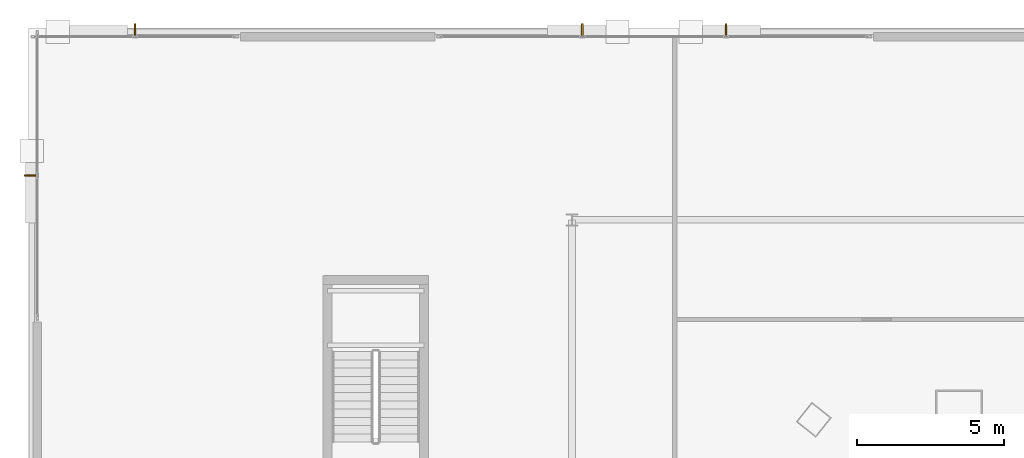
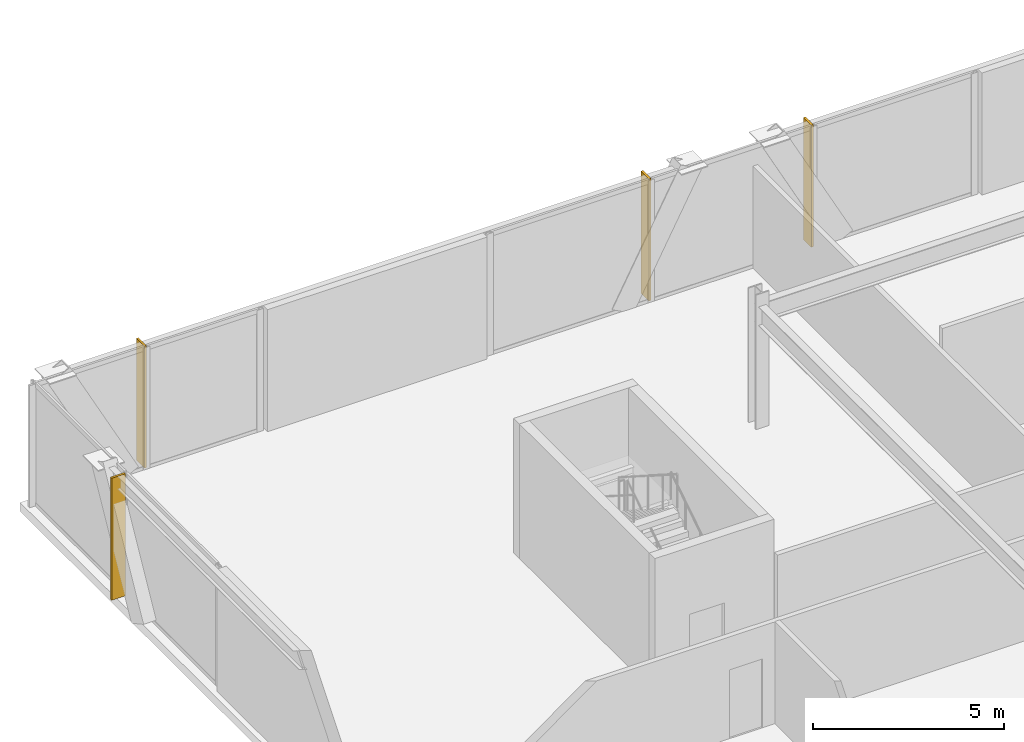
# One storey, part 45 of 46: 4 shading devices.
"""IFC4 building model written with IfcOpenShell, lengths in metres."""

import ifcopenshell
import ifcopenshell.guid

model = None  # the IFC model being written
_history = None  # IfcOwnerHistory: only IFC2X3 demands one
_inside = {}  # id of a spatial element -> (the spatial element, [elements in it])
_under = {}  # id of a project, library or spatial element -> (it, [spatial elements below it])
_declared = {}  # id of a project -> (the project, [libraries it declares])
_typed = {}  # id of a type object -> (the type object, [elements of that type])
_made_of = {}  # id of a material, layer set ... -> (it, [elements and type objects made of it])


def new_model(schema):
    """Start an empty IFC model of exactly this schema.

    Asked for "IFC4X3", IfcOpenShell would pick the latest addendum, in which some entities
    have other attributes; the version numbers below select the first issue.
    IFC2X3 requires an IfcOwnerHistory on every rooted entity: one is made here for all.
    """
    global model, _history
    if schema == "IFC4X3":
        model = ifcopenshell.file(schema_version=(4, 3, 0, 0))
    else:
        model = ifcopenshell.file(schema=schema)
    _inside.clear()
    _under.clear()
    _declared.clear()
    _typed.clear()
    _made_of.clear()
    _history = None
    if model.schema == "IFC2X3":
        org = make("IfcOrganization", Name="unknown")
        user = make(
            "IfcPersonAndOrganization",
            ThePerson=make("IfcPerson", FamilyName="unknown"),
            TheOrganization=org,
        )
        app = make(
            "IfcApplication",
            ApplicationDeveloper=org,
            Version="unknown",
            ApplicationFullName="unknown",
            ApplicationIdentifier="unknown",
        )
        _history = make(
            "IfcOwnerHistory",
            OwningUser=user,
            OwningApplication=app,
            ChangeAction="ADDED",
            CreationDate=0,
        )
    return model


def make(cls, **values):
    """One entity of the class cls with the attributes given. An attribute that is None is left unset."""
    return model.create_entity(
        cls, **{name: value for name, value in values.items() if value is not None}
    )


def rooted(cls, **values):
    """An entity with a GlobalId (a new one), such as an element, a storey or a relation."""
    return make(cls, GlobalId=ifcopenshell.guid.new(), OwnerHistory=_history, **values)


def si_unit(unit_type, name, prefix=None):
    """IfcSIUnit, for example si_unit("LENGTHUNIT", "METRE", prefix="MILLI")."""
    return make("IfcSIUnit", UnitType=unit_type, Prefix=prefix, Name=name)


def assignment(units):
    """IfcUnitAssignment: the units of a project."""
    return None if units is None else make("IfcUnitAssignment", Units=units)


def point(xyz):
    """IfcCartesianPoint."""
    return None if xyz is None else make("IfcCartesianPoint", Coordinates=xyz)


def direction(xyz):
    """IfcDirection."""
    return None if xyz is None else make("IfcDirection", DirectionRatios=xyz)


def frame(location, z_axis=None, x_axis=None):
    """IfcAxis2Placement3D, a coordinate frame: its origin and axes. An axis left out is left unset."""
    return make(
        "IfcAxis2Placement3D",
        Location=point(location),
        Axis=direction(z_axis),
        RefDirection=direction(x_axis),
    )


def frame_2d(location, x_axis=None):
    """IfcAxis2Placement2D, a coordinate frame in the plane: its origin and x axis."""
    return make(
        "IfcAxis2Placement2D", Location=point(location), RefDirection=direction(x_axis)
    )


def origin():
    """The frame at (0, 0, 0) with its axes left unset."""
    return frame((0.0, 0.0, 0.0))


def origin_2d():
    """The frame at (0, 0) in the plane with its x axis left unset."""
    return frame_2d((0.0, 0.0))


def place(relative_to, where):
    """IfcLocalPlacement: puts the frame where relative to a parent placement (None: the world)."""
    return make(
        "IfcLocalPlacement", PlacementRelTo=relative_to, RelativePlacement=where
    )


def context(
    kind, dimensions, precision=None, world=None, true_north=None, identifier=None
):
    """IfcGeometricRepresentationContext, for example the 3D "Model" context."""
    return make(
        "IfcGeometricRepresentationContext",
        ContextIdentifier=identifier,
        ContextType=kind,
        CoordinateSpaceDimension=dimensions,
        Precision=precision,
        WorldCoordinateSystem=world,
        TrueNorth=true_north,
    )


def subcontext(parent, identifier, kind, view, scale=None):
    """IfcGeometricRepresentationSubContext, for example "Body" below "Model"."""
    return make(
        "IfcGeometricRepresentationSubContext",
        ContextIdentifier=identifier,
        ContextType=kind,
        ParentContext=parent,
        TargetScale=scale,
        TargetView=view,
    )


def project(units=None, contexts=None):
    """IfcProject with its units and contexts."""
    return rooted(
        "IfcProject",
        Name="project",
        RepresentationContexts=contexts,
        UnitsInContext=assignment(units),
    )


def spatial(cls, under=None, at=None, **own):
    """A site, building, storey or space (cls), placed at a placement, below another one or the project."""
    s = rooted(cls, ObjectPlacement=at, **own)
    if under is not None:
        _under.setdefault(under.id(), (under, []))[1].append(s)
    return s


def profile(cls, at=None, kind="AREA", **sizes):
    """A parametric profile (cls). Its sizes go by their IFC names, for example OverallWidth=200.0."""
    return make(cls, ProfileType=kind, Position=at, **sizes)


def rectangle(**sizes):
    """IfcRectangleProfileDef."""
    return profile("IfcRectangleProfileDef", **sizes)


def extrude(swept, where, along, depth):
    """IfcExtrudedAreaSolid: the profile swept, set in the frame where, extruded along a direction by depth."""
    return make(
        "IfcExtrudedAreaSolid",
        SweptArea=swept,
        Position=where,
        ExtrudedDirection=direction(along),
        Depth=depth,
    )


def shape(context_of_items, identifier, shape_type, items):
    """IfcShapeRepresentation: the items that make up one representation, for example the "Body"."""
    return make(
        "IfcShapeRepresentation",
        ContextOfItems=context_of_items,
        RepresentationIdentifier=identifier,
        RepresentationType=shape_type,
        Items=items,
    )


def material(Name=None, Category=None):
    """IfcMaterial."""
    return make("IfcMaterial", Name=Name, Category=Category)


def layer(
    of_material, thickness, ventilated=None, Name=None, Category=None, Priority=None
):
    """IfcMaterialLayer: one layer of a wall or slab, of a material (None: an air gap)."""
    return make(
        "IfcMaterialLayer",
        Material=of_material,
        LayerThickness=thickness,
        IsVentilated=ventilated,
        Name=Name,
        Category=Category,
        Priority=Priority,
    )


def layer_set(layers, Name=None):
    """IfcMaterialLayerSet."""
    return make("IfcMaterialLayerSet", MaterialLayers=layers, LayerSetName=Name)


def made_of(thing, what):
    """Note that an element or type object is made of a material, layer set ...; save() writes the relation."""
    if what is not None:
        _made_of.setdefault(what.id(), (what, []))[1].append(thing)
    return thing


def type_object(cls, material=None, **own):
    """A type object (cls), such as IfcWallType, which elements share."""
    return made_of(rooted(cls, **own), material)


def element(
    cls,
    number,
    at=None,
    inside=None,
    cuts=None,
    type_object=None,
    material=None,
    context=None,
    identifier="Body",
    shape_type=None,
    held_by="IfcProductDefinitionShape",
    body=None,
    shapes=None,
    **own,
):
    """One element of the class cls, such as IfcWall. Its Tag is "e" and its number.

    at: its placement. inside: the storey or other place that contains it. cuts: it is an
    opening in that element (IfcRelVoidsElement). A single representation is given by context,
    identifier, shape_type and body (its items); several are given by shapes. held_by: the class
    of the entity that holds the representations. save() writes the other relations.
    """
    e = rooted(cls, Tag="e%d" % number, ObjectPlacement=at, **own)
    if body is not None:
        shapes = [shape(context, identifier, shape_type, body)]
    if shapes is not None:
        e.Representation = make(held_by, Representations=shapes)
    if inside is not None:
        _inside.setdefault(inside.id(), (inside, []))[1].append(e)
    if cuts is not None:
        rooted(
            "IfcRelVoidsElement", RelatingBuildingElement=cuts, RelatedOpeningElement=e
        )
    if type_object is not None:
        _typed.setdefault(type_object.id(), (type_object, []))[1].append(e)
    return made_of(e, material)


def aggregate(whole, parts):
    """IfcRelAggregates: a whole, such as a stair, and the parts it consists of."""
    return rooted("IfcRelAggregates", RelatingObject=whole, RelatedObjects=parts)


def save(model, path):
    """Write the relations noted so far, then the file.

    IfcRelAggregates (storeys below a building ...), IfcRelContainedInSpatialStructure (elements
    in a storey), IfcRelDefinesByType, IfcRelAssociatesMaterial and IfcRelDeclares: one each for
    every whole, place, type object, material and project.
    """
    for whole, parts in _under.values():
        aggregate(whole, parts)
    for where, things in _inside.values():
        rooted(
            "IfcRelContainedInSpatialStructure",
            RelatedElements=things,
            RelatingStructure=where,
        )
    for kind, things in _typed.values():
        rooted("IfcRelDefinesByType", RelatedObjects=things, RelatingType=kind)
    for what, things in _made_of.values():
        rooted("IfcRelAssociatesMaterial", RelatedObjects=things, RelatingMaterial=what)
    for by, libraries in _declared.values():
        rooted("IfcRelDeclares", RelatingContext=by, RelatedDefinitions=libraries)
    model.write(path)


model = new_model("IFC4")

# Units and contexts
model_context = context("Model", 3, precision=1e-05, world=origin(), true_north=direction((0.0, 1.0)))
body_context = subcontext(model_context, "Body", "Model", "MODEL_VIEW")
ifc_project = project(units=[si_unit("LENGTHUNIT", "METRE"), si_unit("AREAUNIT", "SQUARE_METRE"), si_unit("VOLUMEUNIT", "CUBIC_METRE"), si_unit("PLANEANGLEUNIT", "RADIAN"), si_unit("MASSUNIT", "GRAM", prefix="KILO")], contexts=[model_context])

# Site, building, storey
site_placement = place(None, origin())
site = spatial("IfcSite", under=ifc_project, at=site_placement, CompositionType="ELEMENT")
building_placement = place(site_placement, origin())
building = spatial("IfcBuilding", under=site, at=building_placement, Name="Orvanel Arch Residences", CompositionType="ELEMENT")
storey_placement = place(building_placement, frame((0.0, 0.0, 14.10009765625)))
storey = spatial("IfcBuildingStorey", under=building, at=storey_placement, Name="L03", CompositionType="ELEMENT", Elevation=14.10009765625)

# Shading devices
ifc_material = material(Name="Bronze-anodised aluminium AA6063-T6", Category="aluminium")
ifc_layer = layer(ifc_material, 0.06494140625)
ifc_layer_set = layer_set([ifc_layer], Name="Bronze-anodised aluminium AA6063-T6")
shading_device_type = type_object("IfcShadingDeviceType", Name="FIN-BRZ-420", PredefinedType="USERDEFINED", material=ifc_layer_set)
for number, where, z_axis, x_axis, name in (
    (1, (25.052978515625, 54.489013671875, 0.0), (0.0, 0.0, 1.0), (0.0, 1.0, 0.0), "L03 Anodised Bronze Mullion FIN 01"),
    (2, (20.14697265625, 54.489013671875, 0.0), (0.0, 0.0, 1.0), (0.0, 1.0, 0.0), "L03 Anodised Bronze Mullion FIN 02"),
    (3, (4.885009765625, 54.489013671875, 0.0), (0.0, 0.0, 1.0), (0.0, 1.0, 0.0), "L03 Anodised Bronze Mullion FIN 01"),
    (4, (1.31005859375, 49.514892578125, 0.0), (0.0, 0.0, 1.0), (-1.0, 0.0, 0.0), "L03 Anodised Bronze Mullion FIN 01"),
):
    element("IfcShadingDevice", number, at=place(storey_placement, frame(where, z_axis=z_axis, x_axis=x_axis)), inside=storey, type_object=shading_device_type, Name=name, ObjectType="FIN", PredefinedType="USERDEFINED", context=body_context, shape_type="SweptSolid", body=[
        extrude(rectangle(XDim=0.419921875, YDim=0.06494140625, at=origin_2d()), origin(), (0.0, 0.0, 1.0), 3.89990234375),
    ])

save(model, "model.ifc")
